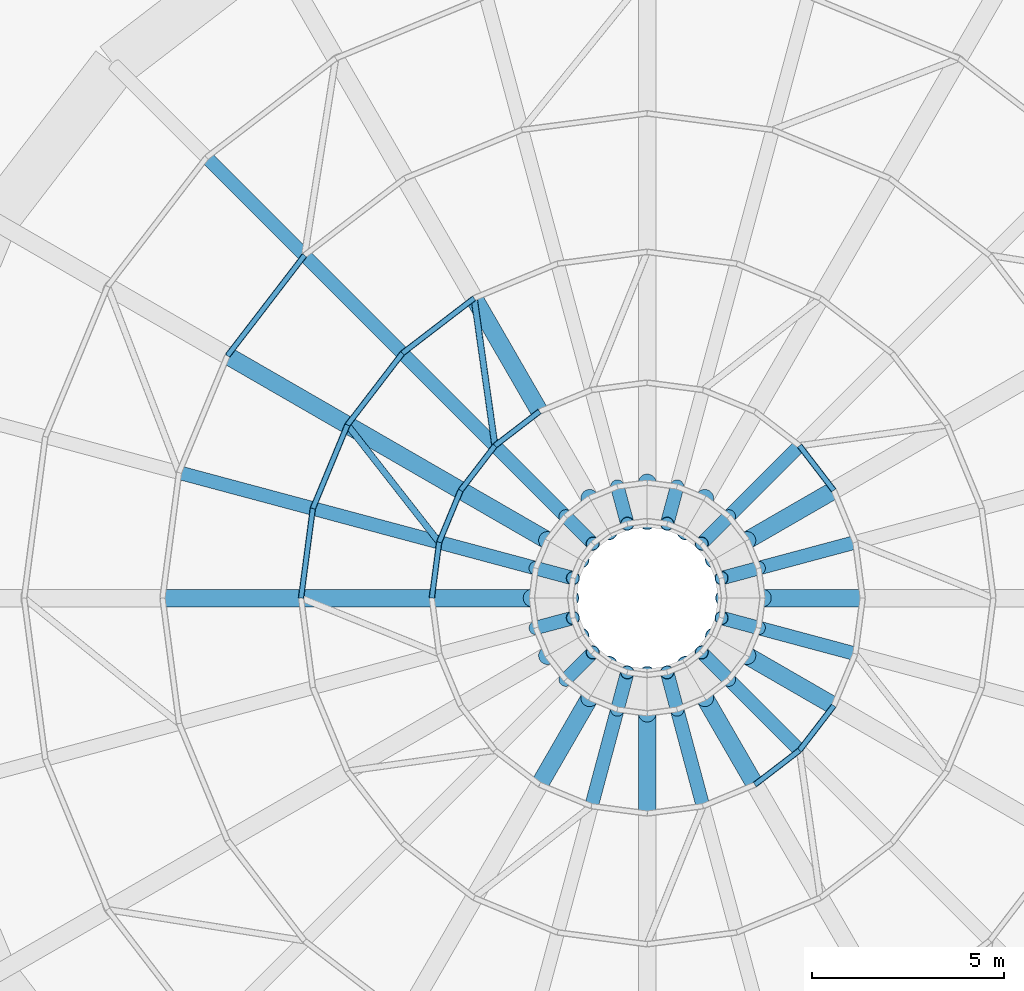
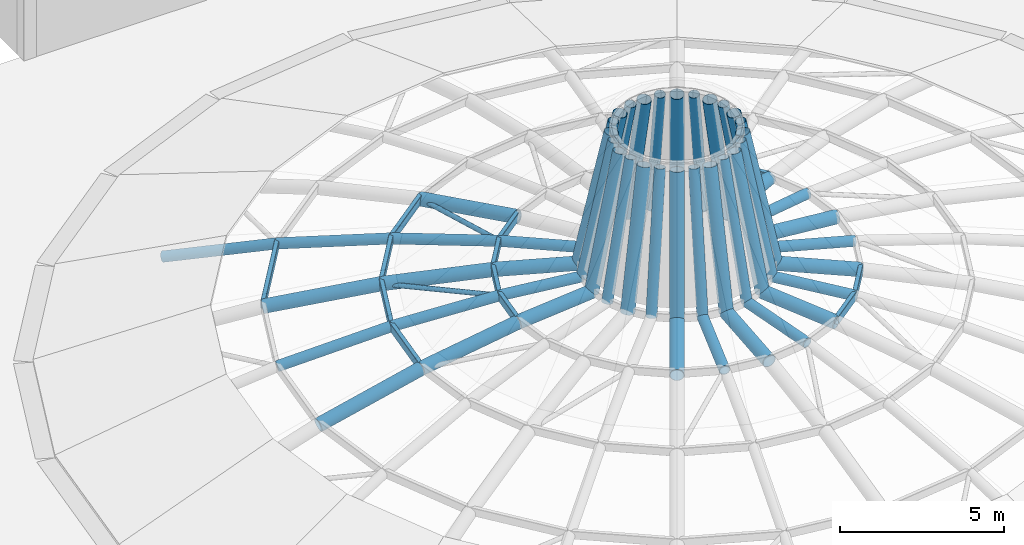
# One storey, part 9 of 25: 64 members.
"""IFC4 building model written with IfcOpenShell, lengths in metres."""

from ifc_helpers import new_model, si_unit, direction, frame, origin, origin_2d, place, context, subcontext, project, spatial, hollow_rectangle, hollow_circle, extrude, material, material_profile, profile_set, type_object, element, save


model = new_model("IFC4")

# Units and contexts
model_context = context("Model", 3, precision=1e-05, world=origin(), true_north=direction((0.0, 1.0)))
body_context = subcontext(model_context, "Body", "Model", "MODEL_VIEW")
ifc_project = project(units=[si_unit("LENGTHUNIT", "METRE"), si_unit("AREAUNIT", "SQUARE_METRE"), si_unit("VOLUMEUNIT", "CUBIC_METRE"), si_unit("PLANEANGLEUNIT", "RADIAN"), si_unit("MASSUNIT", "GRAM", prefix="KILO")], contexts=[model_context])

# Site, building, storey
site_placement = place(None, origin())
site = spatial("IfcSite", under=ifc_project, at=site_placement, CompositionType="ELEMENT")
building_placement = place(site_placement, origin())
building = spatial("IfcBuilding", under=site, at=building_placement, Name="Marnock Terrace Opera House", CompositionType="ELEMENT")
storey_placement = place(building_placement, frame((0.0, 0.0, 28.199951171875)))
storey = spatial("IfcBuildingStorey", under=building, at=storey_placement, Name="RF", CompositionType="ELEMENT", Elevation=28.199951171875)

# Members
ifc_material = material(Name="Cold-formed Steel Grade C350L0 (AS/NZS 1163)", Category="steel")
ifc_material_profile_1 = material_profile(ifc_material, hollow_circle(Radius=0.084228515625, WallThickness=0.007080078125, at=origin_2d()))
ifc_profile_set_1 = profile_set([ifc_material_profile_1], Name="Cold-formed Steel Grade C350L0 (AS/NZS 1163)")
member_type_1 = type_object("IfcMemberType", Name="MEM-BRACE-CHS2", PredefinedType="BRACE", material=ifc_profile_set_1)
for number, where, z_axis, x_axis, name in (
    (1, (77.5, 68.294189453125, 2.915283203125), (0.137990150428, -0.97933723571, 0.147842135863), (0.990218777519, 0.139523376713, 0.0), "Auditorium dome diagonal shell brace 3.9"),
    (2, (74.205810546875, 65.0, 2.915283203125), (0.609160158233, -0.779143840426, 0.147847142509), (0.787801603873, 0.615929081092, 0.0), "Auditorium dome diagonal shell brace 3.11"),
):
    element("IfcMember", number, at=place(storey_placement, frame(where, z_axis=z_axis, x_axis=x_axis)), inside=storey, type_object=member_type_1, Name=name, PredefinedType="BRACE", context=body_context, shape_type="SweptSolid", body=[
        extrude(hollow_circle(Radius=0.084228515625, WallThickness=0.007080078125, at=origin_2d()), origin(), (0.0, 0.0, 1.0), 3.915283203125),
    ])
ifc_material_profile_2 = material_profile(ifc_material, hollow_circle(Radius=0.228515625, WallThickness=0.0126953125, at=origin_2d()))
ifc_profile_set_2 = profile_set([ifc_material_profile_2], Name="Cold-formed Steel Grade C350L0 (AS/NZS 1163)")
member_type_2 = type_object("IfcMemberType", Name="MEM-DOME-RIB1", PredefinedType="RAFTER", material=ifc_profile_set_2)
member_1_placement = place(storey_placement, frame((87.60009765625, 60.5, 3.443115234375), z_axis=(-0.995911581875, 0.0, 0.090333388553), x_axis=(0.0, -1.0, 0.0)))
element("IfcMember", 3, at=member_1_placement, inside=storey, type_object=member_type_2, Name="Auditorium dome meridian steel rib 1.5", PredefinedType="RAFTER", context=body_context, shape_type="SweptSolid", body=[
    extrude(hollow_circle(Radius=0.228515625, WallThickness=0.0126953125, at=origin_2d()), origin(), (0.0, 0.0, 1.0), 2.61083984375),
])
member_2_placement = place(storey_placement, frame((85.0, 60.5, 3.678955078125), z_axis=(-0.200703003184, 0.0, 0.97965213444), x_axis=(0.0, -1.0, 0.0)))
element("IfcMember", 4, at=member_2_placement, inside=storey, type_object=member_type_2, Name="Auditorium dome meridian steel rib 1.6", PredefinedType="RAFTER", context=body_context, shape_type="SweptSolid", body=[
    extrude(hollow_circle(Radius=0.228515625, WallThickness=0.0126953125, at=origin_2d()), origin(), (0.0, 0.0, 1.0), 4.982421875),
])
member_3_placement = place(storey_placement, frame((86.849853515625, 63.300048828125, 3.443115234375), z_axis=(-0.862480644975, -0.497962640626, 0.090334631145), x_axis=(0.500006934395, -0.866021400173, 0.0)))
element("IfcMember", 5, at=member_3_placement, inside=storey, type_object=member_type_2, Name="Auditorium dome meridian steel rib 3.5", PredefinedType="RAFTER", context=body_context, shape_type="SweptSolid", body=[
    extrude(hollow_circle(Radius=0.228515625, WallThickness=0.0126953125, at=origin_2d()), origin(), (0.0, 0.0, 1.0), 2.61083984375),
])
for number, where, z_axis, x_axis, name in (
    (6, (84.59814453125, 62.0, 3.678955078125), (-0.173850011214, -0.10035085202, 0.979645793182), (0.499919672301, -0.866071776036, 0.0), "Auditorium dome meridian steel rib 3.6"),
    (7, (83.5, 63.09814453125, 3.678955078125), (-0.10035085202, -0.173850011214, 0.979645793182), (0.866071776036, -0.499919672301, 0.0), "Auditorium dome meridian steel rib 5.6"),
    (8, (82.0, 63.5, 3.678955078125), (0.0, -0.200703003184, 0.97965213444), (1.0, 0.0, 0.0), "Auditorium dome meridian steel rib 7.6"),
):
    element("IfcMember", number, at=place(storey_placement, frame(where, z_axis=z_axis, x_axis=x_axis)), inside=storey, type_object=member_type_2, Name=name, PredefinedType="RAFTER", context=body_context, shape_type="SweptSolid", body=[
        extrude(hollow_circle(Radius=0.228515625, WallThickness=0.0126953125, at=origin_2d()), origin(), (0.0, 0.0, 1.0), 4.982421875),
    ])
member_4_placement = place(storey_placement, frame((77.5, 68.294189453125, 2.915283203125), z_axis=(0.494089297622, -0.855768624059, 0.15341391088), x_axis=(0.866020560687, 0.500008388397, 0.0)))
element("IfcMember", 9, at=member_4_placement, inside=storey, type_object=member_type_2, Name="Auditorium dome meridian steel rib 9.4", PredefinedType="RAFTER", context=body_context, shape_type="SweptSolid", body=[
    extrude(hollow_circle(Radius=0.228515625, WallThickness=0.0126953125, at=origin_2d()), origin(), (0.0, 0.0, 1.0), 3.440673828125),
])
member_5_placement = place(storey_placement, frame((80.5, 63.09814453125, 3.678955078125), z_axis=(0.10035085202, -0.173850011214, 0.979645793182), x_axis=(0.866071776036, 0.499919672301, 0.0)))
element("IfcMember", 10, at=member_5_placement, inside=storey, type_object=member_type_2, Name="Auditorium dome meridian steel rib 9.6", PredefinedType="RAFTER", context=body_context, shape_type="SweptSolid", body=[
    extrude(hollow_circle(Radius=0.228515625, WallThickness=0.0126953125, at=origin_2d()), origin(), (0.0, 0.0, 1.0), 4.982421875),
])
member_6_placement = place(storey_placement, frame((71.088134765625, 66.800048828125, 2.076171875), z_axis=(0.843410626592, -0.486959009386, 0.227000965043), x_axis=(0.500012057535, 0.866018442252, 0.0)))
element("IfcMember", 11, at=member_6_placement, inside=storey, type_object=member_type_2, Name="Auditorium dome meridian steel rib 11.3", PredefinedType="RAFTER", context=body_context, shape_type="SweptSolid", body=[
    extrude(hollow_circle(Radius=0.228515625, WallThickness=0.0126953125, at=origin_2d()), origin(), (0.0, 0.0, 1.0), 3.696533203125),
])
member_7_placement = place(storey_placement, frame((74.205810546875, 65.0, 2.915283203125), z_axis=(0.855768624059, -0.494089297622, 0.15341391088), x_axis=(0.500008388397, 0.866020560687, 0.0)))
element("IfcMember", 12, at=member_7_placement, inside=storey, type_object=member_type_2, Name="Auditorium dome meridian steel rib 11.4", PredefinedType="RAFTER", context=body_context, shape_type="SweptSolid", body=[
    extrude(hollow_circle(Radius=0.228515625, WallThickness=0.0126953125, at=origin_2d()), origin(), (0.0, 0.0, 1.0), 3.440673828125),
])
member_8_placement = place(storey_placement, frame((77.150146484375, 63.300048828125, 3.443115234375), z_axis=(0.862480644975, -0.497962640626, 0.090334631145), x_axis=(0.500006934395, 0.866021400173, 0.0)))
element("IfcMember", 13, at=member_8_placement, inside=storey, type_object=member_type_2, Name="Auditorium dome meridian steel rib 11.5", PredefinedType="RAFTER", context=body_context, shape_type="SweptSolid", body=[
    extrude(hollow_circle(Radius=0.228515625, WallThickness=0.0126953125, at=origin_2d()), origin(), (0.0, 0.0, 1.0), 2.61083984375),
])
member_9_placement = place(storey_placement, frame((79.40185546875, 62.0, 3.678955078125), z_axis=(0.173850011214, -0.10035085202, 0.979645793182), x_axis=(0.499919672301, 0.866071776036, 0.0)))
element("IfcMember", 14, at=member_9_placement, inside=storey, type_object=member_type_2, Name="Auditorium dome meridian steel rib 11.6", PredefinedType="RAFTER", context=body_context, shape_type="SweptSolid", body=[
    extrude(hollow_circle(Radius=0.228515625, WallThickness=0.0126953125, at=origin_2d()), origin(), (0.0, 0.0, 1.0), 4.982421875),
])
member_10_placement = place(storey_placement, frame((69.39990234375, 60.5, 2.076171875), z_axis=(0.973895743392, 0.0, 0.226995773094), x_axis=(0.0, 1.0, 0.0)))
element("IfcMember", 15, at=member_10_placement, inside=storey, type_object=member_type_2, Name="Auditorium dome meridian steel rib 13.3", PredefinedType="RAFTER", context=body_context, shape_type="SweptSolid", body=[
    extrude(hollow_circle(Radius=0.228515625, WallThickness=0.0126953125, at=origin_2d()), origin(), (0.0, 0.0, 1.0), 3.696533203125),
])
member_11_placement = place(storey_placement, frame((73.0, 60.5, 2.915283203125), z_axis=(0.988162407226, 0.0, 0.153411397704), x_axis=(0.0, 1.0, 0.0)))
element("IfcMember", 16, at=member_11_placement, inside=storey, type_object=member_type_2, Name="Auditorium dome meridian steel rib 13.4", PredefinedType="RAFTER", context=body_context, shape_type="SweptSolid", body=[
    extrude(hollow_circle(Radius=0.228515625, WallThickness=0.0126953125, at=origin_2d()), origin(), (0.0, 0.0, 1.0), 3.440673828125),
])
member_12_placement = place(storey_placement, frame((76.39990234375, 60.5, 3.443115234375), z_axis=(0.995911581875, 0.0, 0.090333388553), x_axis=(0.0, 1.0, 0.0)))
element("IfcMember", 17, at=member_12_placement, inside=storey, type_object=member_type_2, Name="Auditorium dome meridian steel rib 13.5", PredefinedType="RAFTER", context=body_context, shape_type="SweptSolid", body=[
    extrude(hollow_circle(Radius=0.228515625, WallThickness=0.0126953125, at=origin_2d()), origin(), (0.0, 0.0, 1.0), 2.61083984375),
])
for number, where, z_axis, x_axis, name in (
    (18, (79.0, 60.5, 3.678955078125), (0.200703003184, 0.0, 0.97965213444), (0.0, 1.0, 0.0), "Auditorium dome meridian steel rib 13.6"),
    (19, (79.40185546875, 59.0, 3.678955078125), (0.173850011214, 0.10035085202, 0.979645793182), (-0.499919672301, 0.866071776036, 0.0), "Auditorium dome meridian steel rib 15.6"),
):
    element("IfcMember", number, at=place(storey_placement, frame(where, z_axis=z_axis, x_axis=x_axis)), inside=storey, type_object=member_type_2, Name=name, PredefinedType="RAFTER", context=body_context, shape_type="SweptSolid", body=[
        extrude(hollow_circle(Radius=0.228515625, WallThickness=0.0126953125, at=origin_2d()), origin(), (0.0, 0.0, 1.0), 4.982421875),
    ])
member_13_placement = place(storey_placement, frame((79.199951171875, 55.650146484375, 3.443115234375), z_axis=(0.497962640626, 0.862480644975, 0.090334631145), x_axis=(-0.866021400173, 0.500006934395, 0.0)))
element("IfcMember", 20, at=member_13_placement, inside=storey, type_object=member_type_2, Name="Auditorium dome meridian steel rib 17.5", PredefinedType="RAFTER", context=body_context, shape_type="SweptSolid", body=[
    extrude(hollow_circle(Radius=0.228515625, WallThickness=0.0126953125, at=origin_2d()), origin(), (0.0, 0.0, 1.0), 2.61083984375),
])
member_14_placement = place(storey_placement, frame((80.5, 57.90185546875, 3.678955078125), z_axis=(0.10035085202, 0.173850011214, 0.979645793182), x_axis=(-0.866071776036, 0.499919672301, 0.0)))
element("IfcMember", 21, at=member_14_placement, inside=storey, type_object=member_type_2, Name="Auditorium dome meridian steel rib 17.6", PredefinedType="RAFTER", context=body_context, shape_type="SweptSolid", body=[
    extrude(hollow_circle(Radius=0.228515625, WallThickness=0.0126953125, at=origin_2d()), origin(), (0.0, 0.0, 1.0), 4.982421875),
])
member_15_placement = place(storey_placement, frame((82.0, 54.89990234375, 3.443115234375), z_axis=(0.0, 0.995911581875, 0.090333388553), x_axis=(-1.0, 0.0, 0.0)))
element("IfcMember", 22, at=member_15_placement, inside=storey, type_object=member_type_2, Name="Auditorium dome meridian steel rib 19.5", PredefinedType="RAFTER", context=body_context, shape_type="SweptSolid", body=[
    extrude(hollow_circle(Radius=0.228515625, WallThickness=0.0126953125, at=origin_2d()), origin(), (0.0, 0.0, 1.0), 2.61083984375),
])
member_16_placement = place(storey_placement, frame((82.0, 57.5, 3.678955078125), z_axis=(0.0, 0.200703003184, 0.97965213444), x_axis=(-1.0, 0.0, 0.0)))
element("IfcMember", 23, at=member_16_placement, inside=storey, type_object=member_type_2, Name="Auditorium dome meridian steel rib 19.6", PredefinedType="RAFTER", context=body_context, shape_type="SweptSolid", body=[
    extrude(hollow_circle(Radius=0.228515625, WallThickness=0.0126953125, at=origin_2d()), origin(), (0.0, 0.0, 1.0), 4.982421875),
])
member_17_placement = place(storey_placement, frame((84.800048828125, 55.650146484375, 3.443115234375), z_axis=(-0.497962640626, 0.862480644975, 0.090334631145), x_axis=(-0.866021400173, -0.500006934395, 0.0)))
element("IfcMember", 24, at=member_17_placement, inside=storey, type_object=member_type_2, Name="Auditorium dome meridian steel rib 21.5", PredefinedType="RAFTER", context=body_context, shape_type="SweptSolid", body=[
    extrude(hollow_circle(Radius=0.228515625, WallThickness=0.0126953125, at=origin_2d()), origin(), (0.0, 0.0, 1.0), 2.61083984375),
])
member_18_placement = place(storey_placement, frame((83.5, 57.90185546875, 3.678955078125), z_axis=(-0.10035085202, 0.173850011214, 0.979645793182), x_axis=(-0.866071776036, -0.499919672301, 0.0)))
element("IfcMember", 25, at=member_18_placement, inside=storey, type_object=member_type_2, Name="Auditorium dome meridian steel rib 21.6", PredefinedType="RAFTER", context=body_context, shape_type="SweptSolid", body=[
    extrude(hollow_circle(Radius=0.228515625, WallThickness=0.0126953125, at=origin_2d()), origin(), (0.0, 0.0, 1.0), 4.982421875),
])
member_19_placement = place(storey_placement, frame((86.849853515625, 57.699951171875, 3.443115234375), z_axis=(-0.862480644975, 0.497962640626, 0.090334631145), x_axis=(-0.500006934395, -0.866021400173, 0.0)))
element("IfcMember", 26, at=member_19_placement, inside=storey, type_object=member_type_2, Name="Auditorium dome meridian steel rib 23.5", PredefinedType="RAFTER", context=body_context, shape_type="SweptSolid", body=[
    extrude(hollow_circle(Radius=0.228515625, WallThickness=0.0126953125, at=origin_2d()), origin(), (0.0, 0.0, 1.0), 2.61083984375),
])
member_20_placement = place(storey_placement, frame((84.59814453125, 59.0, 3.678955078125), z_axis=(-0.173850011214, 0.10035085202, 0.979645793182), x_axis=(-0.499919672301, -0.866071776036, 0.0)))
element("IfcMember", 27, at=member_20_placement, inside=storey, type_object=member_type_2, Name="Auditorium dome meridian steel rib 23.6", PredefinedType="RAFTER", context=body_context, shape_type="SweptSolid", body=[
    extrude(hollow_circle(Radius=0.228515625, WallThickness=0.0126953125, at=origin_2d()), origin(), (0.0, 0.0, 1.0), 4.982421875),
])
ifc_material_profile_3 = material_profile(ifc_material, hollow_circle(Radius=0.177734375, WallThickness=0.0126953125, at=origin_2d()))
ifc_profile_set_3 = profile_set([ifc_material_profile_3], Name="Cold-formed Steel Grade C350L0 (AS/NZS 1163)")
member_type_3 = type_object("IfcMemberType", Name="MEM-DOME-RIB2", PredefinedType="RAFTER", material=ifc_profile_set_3)
member_21_placement = place(storey_placement, frame((87.4091796875, 61.949462890625, 3.494140625), z_axis=(-0.961970687285, -0.257815999304, 0.090240275418), x_axis=(0.258872191831, -0.965911584099, 0.0)))
element("IfcMember", 28, at=member_21_placement, inside=storey, type_object=member_type_3, Name="Auditorium dome meridian steel rib 2.5", PredefinedType="RAFTER", context=body_context, shape_type="SweptSolid", body=[
    extrude(hollow_circle(Radius=0.177734375, WallThickness=0.0126953125, at=origin_2d()), origin(), (0.0, 0.0, 1.0), 2.61083984375),
])
member_22_placement = place(storey_placement, frame((84.897705078125, 61.2763671875, 3.729736328125), z_axis=(-0.193871812903, -0.051947452396, 0.979650540933), x_axis=(0.258817449225, -0.965926253902, 0.0)))
element("IfcMember", 29, at=member_22_placement, inside=storey, type_object=member_type_3, Name="Auditorium dome meridian steel rib 2.6", PredefinedType="RAFTER", context=body_context, shape_type="SweptSolid", body=[
    extrude(hollow_circle(Radius=0.177734375, WallThickness=0.0126953125, at=origin_2d()), origin(), (0.0, 0.0, 1.0), 4.981689453125),
])
member_23_placement = place(storey_placement, frame((85.959716796875, 64.459716796875, 3.494140625), z_axis=(-0.704221255346, -0.704221255346, 0.090248806296), x_axis=(0.707106781187, -0.707106781187, 0.0)))
element("IfcMember", 30, at=member_23_placement, inside=storey, type_object=member_type_3, Name="Auditorium dome meridian steel rib 4.5", PredefinedType="RAFTER", context=body_context, shape_type="SweptSolid", body=[
    extrude(hollow_circle(Radius=0.177734375, WallThickness=0.0126953125, at=origin_2d()), origin(), (0.0, 0.0, 1.0), 2.610595703125),
])
for number, where, z_axis, x_axis, name in (
    (31, (84.121337890625, 62.621337890625, 3.729736328125), (-0.141924344146, -0.141924344146, 0.979650427998), (0.707106781187, -0.707106781187, 0.0), "Auditorium dome meridian steel rib 4.6"),
    (32, (82.7763671875, 63.397705078125, 3.729736328125), (-0.051947452396, -0.193871812903, 0.979650540933), (0.965926253902, -0.258817449225, 0.0), "Auditorium dome meridian steel rib 6.6"),
    (33, (81.2236328125, 63.397705078125, 3.729736328125), (0.051947452396, -0.193871812903, 0.979650540933), (0.965926253902, 0.258817449225, 0.0), "Auditorium dome meridian steel rib 8.6"),
):
    element("IfcMember", number, at=place(storey_placement, frame(where, z_axis=z_axis, x_axis=x_axis)), inside=storey, type_object=member_type_3, Name=name, PredefinedType="RAFTER", context=body_context, shape_type="SweptSolid", body=[
        extrude(hollow_circle(Radius=0.177734375, WallThickness=0.0126953125, at=origin_2d()), origin(), (0.0, 0.0, 1.0), 4.981689453125),
    ])
member_24_placement = place(storey_placement, frame((70.544921875, 71.955078125, 0.98681640625), z_axis=(0.674016914939, -0.674016914939, 0.302328293006), x_axis=(0.707106781187, 0.707106781187, 0.0)))
element("IfcMember", 34, at=member_24_placement, inside=storey, type_object=member_type_3, Name="Auditorium dome meridian steel rib 10.2", PredefinedType="RAFTER", context=body_context, shape_type="SweptSolid", body=[
    extrude(hollow_circle(Radius=0.177734375, WallThickness=0.0126953125, at=origin_2d()), origin(), (0.0, 0.0, 1.0), 3.77685546875),
])
member_25_placement = place(storey_placement, frame((73.090576171875, 69.409423828125, 2.128662109375), z_axis=(0.688686175837, -0.688686175837, 0.226765743492), x_axis=(0.707106781187, 0.707106781187, 0.0)))
element("IfcMember", 35, at=member_25_placement, inside=storey, type_object=member_type_3, Name="Auditorium dome meridian steel rib 10.3", PredefinedType="RAFTER", context=body_context, shape_type="SweptSolid", body=[
    extrude(hollow_circle(Radius=0.177734375, WallThickness=0.0126953125, at=origin_2d()), origin(), (0.0, 0.0, 1.0), 3.696044921875),
])
member_26_placement = place(storey_placement, frame((75.635986328125, 66.864013671875, 2.966796875), z_axis=(0.698752930171, -0.698752930171, 0.153260187771), x_axis=(0.707106781187, 0.707106781187, 0.0)))
element("IfcMember", 36, at=member_26_placement, inside=storey, type_object=member_type_3, Name="Auditorium dome meridian steel rib 10.4", PredefinedType="RAFTER", context=body_context, shape_type="SweptSolid", body=[
    extrude(hollow_circle(Radius=0.177734375, WallThickness=0.0126953125, at=origin_2d()), origin(), (0.0, 0.0, 1.0), 3.44091796875),
])
member_27_placement = place(storey_placement, frame((78.040283203125, 64.459716796875, 3.494140625), z_axis=(0.704221255346, -0.704221255346, 0.090248806296), x_axis=(0.707106781187, 0.707106781187, 0.0)))
element("IfcMember", 37, at=member_27_placement, inside=storey, type_object=member_type_3, Name="Auditorium dome meridian steel rib 10.5", PredefinedType="RAFTER", context=body_context, shape_type="SweptSolid", body=[
    extrude(hollow_circle(Radius=0.177734375, WallThickness=0.0126953125, at=origin_2d()), origin(), (0.0, 0.0, 1.0), 2.610595703125),
])
member_28_placement = place(storey_placement, frame((79.878662109375, 62.621337890625, 3.729736328125), z_axis=(0.141924344146, -0.141924344146, 0.979650427998), x_axis=(0.707106781187, 0.707106781187, 0.0)))
element("IfcMember", 38, at=member_28_placement, inside=storey, type_object=member_type_3, Name="Auditorium dome meridian steel rib 10.6", PredefinedType="RAFTER", context=body_context, shape_type="SweptSolid", body=[
    extrude(hollow_circle(Radius=0.177734375, WallThickness=0.0126953125, at=origin_2d()), origin(), (0.0, 0.0, 1.0), 4.981689453125),
])
member_29_placement = place(storey_placement, frame((69.829345703125, 63.76123046875, 2.128662109375), z_axis=(0.940756200194, -0.252114471399, 0.226751108282), x_axis=(0.258856987296, 0.96591565891, 0.0)))
element("IfcMember", 39, at=member_29_placement, inside=storey, type_object=member_type_3, Name="Auditorium dome meridian steel rib 12.3", PredefinedType="RAFTER", context=body_context, shape_type="SweptSolid", body=[
    extrude(hollow_circle(Radius=0.177734375, WallThickness=0.0126953125, at=origin_2d()), origin(), (0.0, 0.0, 1.0), 3.6962890625),
])
member_30_placement = place(storey_placement, frame((73.306640625, 62.829345703125, 2.966796875), z_axis=(0.954521061938, -0.255731036814, 0.153268323951), x_axis=(0.258788726886, 0.965933949521, 0.0)))
element("IfcMember", 40, at=member_30_placement, inside=storey, type_object=member_type_3, Name="Auditorium dome meridian steel rib 12.4", PredefinedType="RAFTER", context=body_context, shape_type="SweptSolid", body=[
    extrude(hollow_circle(Radius=0.177734375, WallThickness=0.0126953125, at=origin_2d()), origin(), (0.0, 0.0, 1.0), 3.440673828125),
])
member_31_placement = place(storey_placement, frame((76.5908203125, 61.949462890625, 3.494140625), z_axis=(0.961970687285, -0.257815999304, 0.090240275418), x_axis=(0.258872191831, 0.965911584099, 0.0)))
element("IfcMember", 41, at=member_31_placement, inside=storey, type_object=member_type_3, Name="Auditorium dome meridian steel rib 12.5", PredefinedType="RAFTER", context=body_context, shape_type="SweptSolid", body=[
    extrude(hollow_circle(Radius=0.177734375, WallThickness=0.0126953125, at=origin_2d()), origin(), (0.0, 0.0, 1.0), 2.61083984375),
])
for number, where, z_axis, x_axis, name in (
    (42, (79.102294921875, 61.2763671875, 3.729736328125), (0.193871812903, -0.051947452396, 0.979650540933), (0.258817449225, 0.965926253902, 0.0), "Auditorium dome meridian steel rib 12.6"),
    (43, (79.102294921875, 59.7236328125, 3.729736328125), (0.193871812903, 0.051947452396, 0.979650540933), (-0.258817449225, 0.965926253902, 0.0), "Auditorium dome meridian steel rib 14.6"),
    (44, (79.878662109375, 58.378662109375, 3.729736328125), (0.141924344146, 0.141924344146, 0.979650427998), (-0.707106781187, 0.707106781187, 0.0), "Auditorium dome meridian steel rib 16.6"),
):
    element("IfcMember", number, at=place(storey_placement, frame(where, z_axis=z_axis, x_axis=x_axis)), inside=storey, type_object=member_type_3, Name=name, PredefinedType="RAFTER", context=body_context, shape_type="SweptSolid", body=[
        extrude(hollow_circle(Radius=0.177734375, WallThickness=0.0126953125, at=origin_2d()), origin(), (0.0, 0.0, 1.0), 4.981689453125),
    ])
member_32_placement = place(storey_placement, frame((80.550537109375, 55.0908203125, 3.494140625), z_axis=(0.257815999304, 0.961970687285, 0.090240275418), x_axis=(-0.965911584099, 0.258872191831, 0.0)))
element("IfcMember", 45, at=member_32_placement, inside=storey, type_object=member_type_3, Name="Auditorium dome meridian steel rib 18.5", PredefinedType="RAFTER", context=body_context, shape_type="SweptSolid", body=[
    extrude(hollow_circle(Radius=0.177734375, WallThickness=0.0126953125, at=origin_2d()), origin(), (0.0, 0.0, 1.0), 2.61083984375),
])
member_33_placement = place(storey_placement, frame((81.2236328125, 57.602294921875, 3.729736328125), z_axis=(0.051947452396, 0.193871812903, 0.979650540933), x_axis=(-0.965926253902, 0.258817449225, 0.0)))
element("IfcMember", 46, at=member_33_placement, inside=storey, type_object=member_type_3, Name="Auditorium dome meridian steel rib 18.6", PredefinedType="RAFTER", context=body_context, shape_type="SweptSolid", body=[
    extrude(hollow_circle(Radius=0.177734375, WallThickness=0.0126953125, at=origin_2d()), origin(), (0.0, 0.0, 1.0), 4.981689453125),
])
member_34_placement = place(storey_placement, frame((83.449462890625, 55.0908203125, 3.494140625), z_axis=(-0.257815999304, 0.961970687285, 0.090240275418), x_axis=(-0.965911584099, -0.258872191831, 0.0)))
element("IfcMember", 47, at=member_34_placement, inside=storey, type_object=member_type_3, Name="Auditorium dome meridian steel rib 20.5", PredefinedType="RAFTER", context=body_context, shape_type="SweptSolid", body=[
    extrude(hollow_circle(Radius=0.177734375, WallThickness=0.0126953125, at=origin_2d()), origin(), (0.0, 0.0, 1.0), 2.61083984375),
])
member_35_placement = place(storey_placement, frame((82.7763671875, 57.602294921875, 3.729736328125), z_axis=(-0.051947452396, 0.193871812903, 0.979650540933), x_axis=(-0.965926253902, -0.258817449225, 0.0)))
element("IfcMember", 48, at=member_35_placement, inside=storey, type_object=member_type_3, Name="Auditorium dome meridian steel rib 20.6", PredefinedType="RAFTER", context=body_context, shape_type="SweptSolid", body=[
    extrude(hollow_circle(Radius=0.177734375, WallThickness=0.0126953125, at=origin_2d()), origin(), (0.0, 0.0, 1.0), 4.981689453125),
])
member_36_placement = place(storey_placement, frame((85.959716796875, 56.540283203125, 3.494140625), z_axis=(-0.704221255346, 0.704221255346, 0.090248806296), x_axis=(-0.707106781187, -0.707106781187, 0.0)))
element("IfcMember", 49, at=member_36_placement, inside=storey, type_object=member_type_3, Name="Auditorium dome meridian steel rib 22.5", PredefinedType="RAFTER", context=body_context, shape_type="SweptSolid", body=[
    extrude(hollow_circle(Radius=0.177734375, WallThickness=0.0126953125, at=origin_2d()), origin(), (0.0, 0.0, 1.0), 2.610595703125),
])
member_37_placement = place(storey_placement, frame((84.121337890625, 58.378662109375, 3.729736328125), z_axis=(-0.141924344146, 0.141924344146, 0.979650427998), x_axis=(-0.707106781187, -0.707106781187, 0.0)))
element("IfcMember", 50, at=member_37_placement, inside=storey, type_object=member_type_3, Name="Auditorium dome meridian steel rib 22.6", PredefinedType="RAFTER", context=body_context, shape_type="SweptSolid", body=[
    extrude(hollow_circle(Radius=0.177734375, WallThickness=0.0126953125, at=origin_2d()), origin(), (0.0, 0.0, 1.0), 4.981689453125),
])
member_38_placement = place(storey_placement, frame((87.4091796875, 59.050537109375, 3.494140625), z_axis=(-0.961970687285, 0.257815999304, 0.090240275418), x_axis=(-0.258872191831, -0.965911584099, 0.0)))
element("IfcMember", 51, at=member_38_placement, inside=storey, type_object=member_type_3, Name="Auditorium dome meridian steel rib 24.5", PredefinedType="RAFTER", context=body_context, shape_type="SweptSolid", body=[
    extrude(hollow_circle(Radius=0.177734375, WallThickness=0.0126953125, at=origin_2d()), origin(), (0.0, 0.0, 1.0), 2.61083984375),
])
member_39_placement = place(storey_placement, frame((84.897705078125, 59.7236328125, 3.729736328125), z_axis=(-0.193871812903, 0.051947452396, 0.979650540933), x_axis=(-0.258817449225, -0.965926253902, 0.0)))
element("IfcMember", 52, at=member_39_placement, inside=storey, type_object=member_type_3, Name="Auditorium dome meridian steel rib 24.6", PredefinedType="RAFTER", context=body_context, shape_type="SweptSolid", body=[
    extrude(hollow_circle(Radius=0.177734375, WallThickness=0.0126953125, at=origin_2d()), origin(), (0.0, 0.0, 1.0), 4.981689453125),
])
ifc_material_profile_4 = material_profile(ifc_material, hollow_rectangle(XDim=0.14990234375, YDim=0.300048828125, WallThickness=0.010009765625, InnerFilletRadius=0.010009765625, OuterFilletRadius=0.02001953125, at=origin_2d()))
ifc_profile_set_4 = profile_set([ifc_material_profile_4], Name="Cold-formed Steel Grade C350L0 (AS/NZS 1163)")
member_type_4 = type_object("IfcMemberType", Name="MEM-DOME-RING1", PredefinedType="PURLIN", material=ifc_profile_set_4)
member_40_placement = place(storey_placement, frame((86.849853515625, 63.300048828125, 3.516357421875), z_axis=(-0.608887220492, 0.793256801245, 0.0), x_axis=(-0.793256801245, -0.608887220492, 0.0)))
element("IfcMember", 53, at=member_40_placement, inside=storey, type_object=member_type_4, Name="Auditorium dome latitude purlin ring 4.3", PredefinedType="PURLIN", context=body_context, shape_type="SweptSolid", body=[
    extrude(hollow_rectangle(XDim=0.14990234375, YDim=0.300048828125, WallThickness=0.010009765625, InnerFilletRadius=0.010009765625, OuterFilletRadius=0.02001953125, at=origin_2d()), origin(), (0.0, 0.0, 1.0), 1.4619140625),
])
member_41_placement = place(storey_placement, frame((77.5, 68.294189453125, 2.985595703125), z_axis=(-0.793380518121, -0.608726008534, 0.0), x_axis=(0.608726008534, -0.793380518121, 0.0)))
element("IfcMember", 54, at=member_41_placement, inside=storey, type_object=member_type_4, Name="Auditorium dome latitude purlin ring 3.9", PredefinedType="PURLIN", context=body_context, shape_type="SweptSolid", body=[
    extrude(hollow_rectangle(XDim=0.14990234375, YDim=0.300048828125, WallThickness=0.010009765625, InnerFilletRadius=0.010009765625, OuterFilletRadius=0.02001953125, at=origin_2d()), origin(), (0.0, 0.0, 1.0), 2.349365234375),
])
member_42_placement = place(storey_placement, frame((79.199951171875, 65.349853515625, 3.516357421875), z_axis=(-0.793256801245, -0.608887220492, 0.0), x_axis=(0.608887220492, -0.793256801245, 0.0)))
element("IfcMember", 55, at=member_42_placement, inside=storey, type_object=member_type_4, Name="Auditorium dome latitude purlin ring 4.9", PredefinedType="PURLIN", context=body_context, shape_type="SweptSolid", body=[
    extrude(hollow_rectangle(XDim=0.14990234375, YDim=0.300048828125, WallThickness=0.010009765625, InnerFilletRadius=0.010009765625, OuterFilletRadius=0.02001953125, at=origin_2d()), origin(), (0.0, 0.0, 1.0), 1.4619140625),
])
member_43_placement = place(storey_placement, frame((73.090576171875, 69.409423828125, 2.14453125), z_axis=(-0.608799230599, -0.79332433268, 0.0), x_axis=(0.79332433268, -0.608799230599, 0.0)))
element("IfcMember", 56, at=member_43_placement, inside=storey, type_object=member_type_4, Name="Auditorium dome latitude purlin ring 2.10", PredefinedType="PURLIN", context=body_context, shape_type="SweptSolid", body=[
    extrude(hollow_rectangle(XDim=0.14990234375, YDim=0.300048828125, WallThickness=0.010009765625, InnerFilletRadius=0.010009765625, OuterFilletRadius=0.02001953125, at=origin_2d()), origin(), (0.0, 0.0, 1.0), 3.2890625),
])
member_44_placement = place(storey_placement, frame((75.635986328125, 66.864013671875, 2.985595703125), z_axis=(-0.608726008534, -0.793380518121, 0.0), x_axis=(0.793380518121, -0.608726008534, 0.0)))
element("IfcMember", 57, at=member_44_placement, inside=storey, type_object=member_type_4, Name="Auditorium dome latitude purlin ring 3.10", PredefinedType="PURLIN", context=body_context, shape_type="SweptSolid", body=[
    extrude(hollow_rectangle(XDim=0.14990234375, YDim=0.300048828125, WallThickness=0.010009765625, InnerFilletRadius=0.010009765625, OuterFilletRadius=0.02001953125, at=origin_2d()), origin(), (0.0, 0.0, 1.0), 2.349365234375),
])
member_45_placement = place(storey_placement, frame((78.040283203125, 64.459716796875, 3.516357421875), z_axis=(-0.608887220492, -0.793256801245, 0.0), x_axis=(0.793256801245, -0.608887220492, 0.0)))
element("IfcMember", 58, at=member_45_placement, inside=storey, type_object=member_type_4, Name="Auditorium dome latitude purlin ring 4.10", PredefinedType="PURLIN", context=body_context, shape_type="SweptSolid", body=[
    extrude(hollow_rectangle(XDim=0.14990234375, YDim=0.300048828125, WallThickness=0.010009765625, InnerFilletRadius=0.010009765625, OuterFilletRadius=0.02001953125, at=origin_2d()), origin(), (0.0, 0.0, 1.0), 1.4619140625),
])
member_46_placement = place(storey_placement, frame((74.205810546875, 65.0, 2.985595703125), z_axis=(-0.382703584926, -0.92387118479, 0.0), x_axis=(0.92387118479, -0.382703584926, 0.0)))
element("IfcMember", 59, at=member_46_placement, inside=storey, type_object=member_type_4, Name="Auditorium dome latitude purlin ring 3.11", PredefinedType="PURLIN", context=body_context, shape_type="SweptSolid", body=[
    extrude(hollow_rectangle(XDim=0.14990234375, YDim=0.300048828125, WallThickness=0.010009765625, InnerFilletRadius=0.010009765625, OuterFilletRadius=0.02001953125, at=origin_2d()), origin(), (0.0, 0.0, 1.0), 2.349609375),
])
member_47_placement = place(storey_placement, frame((77.150146484375, 63.300048828125, 3.516357421875), z_axis=(-0.382622215492, -0.923904886994, 0.0), x_axis=(0.923904886994, -0.382622215492, 0.0)))
element("IfcMember", 60, at=member_47_placement, inside=storey, type_object=member_type_4, Name="Auditorium dome latitude purlin ring 4.11", PredefinedType="PURLIN", context=body_context, shape_type="SweptSolid", body=[
    extrude(hollow_rectangle(XDim=0.14990234375, YDim=0.300048828125, WallThickness=0.010009765625, InnerFilletRadius=0.010009765625, OuterFilletRadius=0.02001953125, at=origin_2d()), origin(), (0.0, 0.0, 1.0), 1.4619140625),
])
member_48_placement = place(storey_placement, frame((73.306640625, 62.829345703125, 2.985595703125), z_axis=(-0.130516337425, -0.991446158732, 0.0), x_axis=(0.991446158732, -0.130516337425, 0.0)))
element("IfcMember", 61, at=member_48_placement, inside=storey, type_object=member_type_4, Name="Auditorium dome latitude purlin ring 3.12", PredefinedType="PURLIN", context=body_context, shape_type="SweptSolid", body=[
    extrude(hollow_rectangle(XDim=0.14990234375, YDim=0.300048828125, WallThickness=0.010009765625, InnerFilletRadius=0.010009765625, OuterFilletRadius=0.02001953125, at=origin_2d()), origin(), (0.0, 0.0, 1.0), 2.349365234375),
])
for number, where, z_axis, x_axis, name in (
    (62, (76.5908203125, 61.949462890625, 3.516357421875), (-0.130588423975, -0.991436666421, 0.0), (0.991436666421, -0.130588423975, 0.0), "Auditorium dome latitude purlin ring 4.12"),
    (63, (84.800048828125, 55.650146484375, 3.516357421875), (0.793256801245, 0.608887220492, 0.0), (-0.608887220492, 0.793256801245, 0.0), "Auditorium dome latitude purlin ring 4.21"),
    (64, (85.959716796875, 56.540283203125, 3.516357421875), (0.608887220492, 0.793256801245, 0.0), (-0.793256801245, 0.608887220492, 0.0), "Auditorium dome latitude purlin ring 4.22"),
):
    element("IfcMember", number, at=place(storey_placement, frame(where, z_axis=z_axis, x_axis=x_axis)), inside=storey, type_object=member_type_4, Name=name, PredefinedType="PURLIN", context=body_context, shape_type="SweptSolid", body=[
        extrude(hollow_rectangle(XDim=0.14990234375, YDim=0.300048828125, WallThickness=0.010009765625, InnerFilletRadius=0.010009765625, OuterFilletRadius=0.02001953125, at=origin_2d()), origin(), (0.0, 0.0, 1.0), 1.4619140625),
    ])

save(model, "model.ifc")
